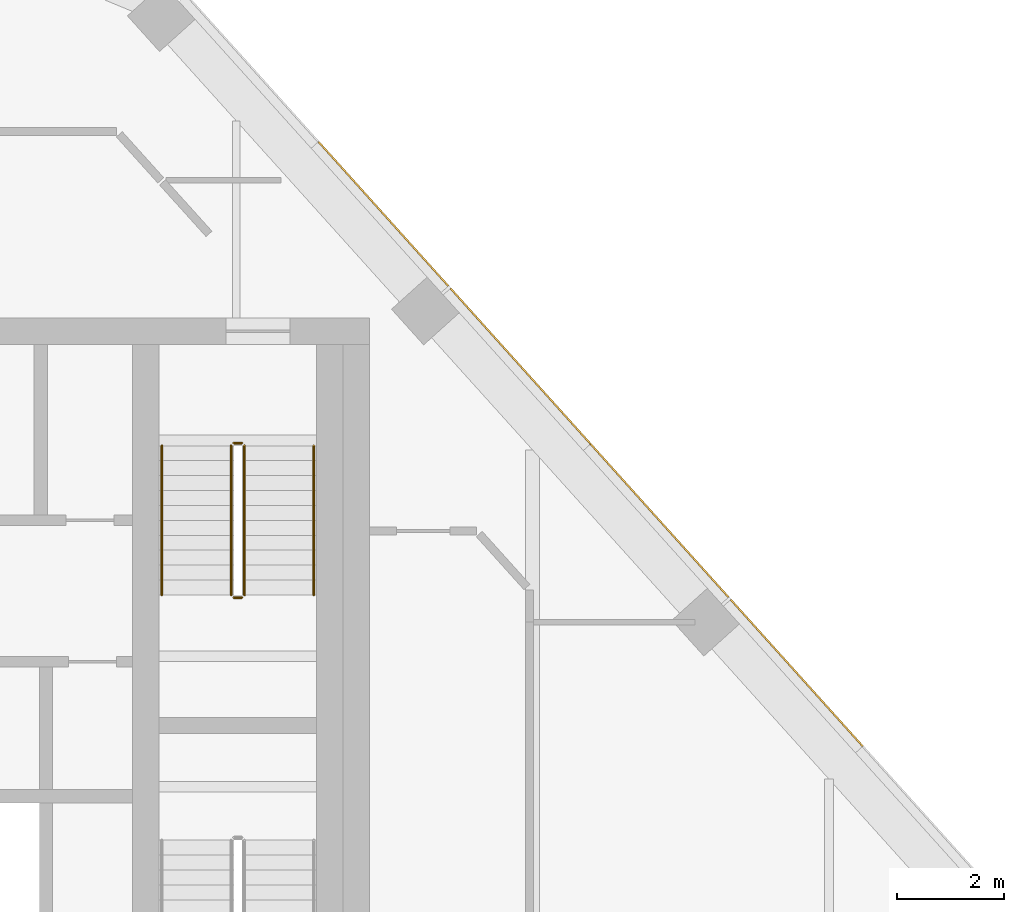
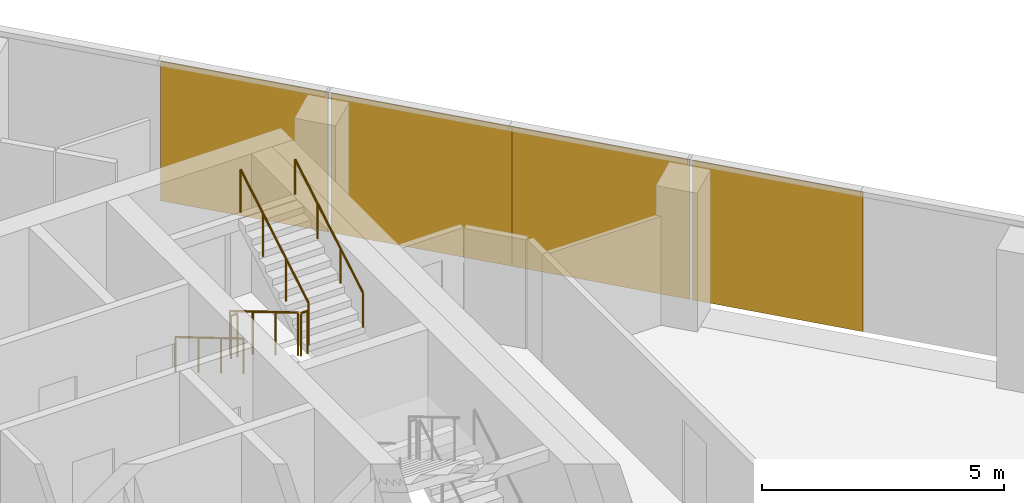
# One storey, part 15 of 15: 6 railings, 4 coverings, 1 element without a shape of its own.
"""IFC4 building model written with IfcOpenShell, lengths in metres."""

from ifc_helpers import new_model, si_unit, direction, frame, origin, origin_2d, place, context, subcontext, project, spatial, rectangle, circle, extrude, material, layer, layer_set, type_object, element, aggregate, save


model = new_model("IFC4")

# Units and contexts
model_context = context("Model", 3, precision=1e-05, world=origin(), true_north=direction((0.0, 1.0)))
body_context = subcontext(model_context, "Body", "Model", "MODEL_VIEW")
ifc_project = project(units=[si_unit("LENGTHUNIT", "METRE"), si_unit("AREAUNIT", "SQUARE_METRE"), si_unit("VOLUMEUNIT", "CUBIC_METRE"), si_unit("PLANEANGLEUNIT", "RADIAN"), si_unit("MASSUNIT", "GRAM", prefix="KILO")], contexts=[model_context])

# Site, building, storey
site_placement = place(None, origin())
site = spatial("IfcSite", under=ifc_project, at=site_placement, CompositionType="ELEMENT")
building_placement = place(site_placement, origin())
building = spatial("IfcBuilding", under=site, at=building_placement, Name="Isthmus Gate Tower", CompositionType="ELEMENT")
storey_placement = place(building_placement, frame((0.0, 0.0, 286.5)))
storey = spatial("IfcBuildingStorey", under=building, at=storey_placement, Name="L73", CompositionType="ELEMENT", Elevation=286.5)

# Curtain wall, coverings
ifc_material_1 = material(Name="Aluminium, pale champagne anodised", Category="aluminium")
ifc_layer_1 = layer(ifc_material_1, 0.199951171875)
ifc_layer_set_1 = layer_set([ifc_layer_1], Name="CW-1 UNITISED CURTAIN WALL 200 DEEP")
curtain_wall_type = type_object("IfcCurtainWallType", Name="CW-1 UNITISED CURTAIN WALL 200 DEEP", PredefinedType="NOTDEFINED", material=ifc_layer_set_1)
curtain_wall_placement = place(storey_placement, origin())
curtain_wall = element("IfcCurtainWall", 1, at=curtain_wall_placement, inside=storey, type_object=curtain_wall_type, Name="CW-1 NE L73", PredefinedType="NOTDEFINED")
ifc_material_2 = material(Name="Aluminium composite panel, pale champagne anodised", Category="aluminium")
ifc_layer_2 = layer(ifc_material_2, 0.031982421875)
ifc_layer_set_2 = layer_set([ifc_layer_2], Name="CW-1 PALE METAL PANEL 32")
covering_type = type_object("IfcCoveringType", Name="CW-1 PALE METAL PANEL 32", PredefinedType="CLADDING", material=ifc_layer_set_2)
covering_1_placement = place(storey_placement, frame((23.012939453125, 8.33837890625, 0.0), z_axis=(0.0, 0.0, 1.0), x_axis=(-0.669130606359, 0.743144825477, 0.0)))
covering_1 = element("IfcCovering", 2, at=covering_1_placement, type_object=covering_type, Name="CW-1 pale metal panel", PredefinedType="CLADDING", context=body_context, shape_type="SweptSolid", body=[
    extrude(rectangle(XDim=3.703369140625, YDim=0.031982421875, at=origin_2d()), origin(), (0.0, 0.0, 1.0), 3.52001953125),
])
covering_2_placement = place(storey_placement, frame((20.439453125, 11.196533203125, 0.0), z_axis=(0.0, 0.0, 1.0), x_axis=(-0.669130606359, 0.743144825477, 0.0)))
covering_2 = element("IfcCovering", 3, at=covering_2_placement, type_object=covering_type, Name="CW-1 pale metal panel", PredefinedType="CLADDING", context=body_context, shape_type="SweptSolid", body=[
    extrude(rectangle(XDim=3.868408203125, YDim=0.031982421875, at=origin_2d()), origin(), (0.0, 0.0, 1.0), 3.52001953125),
])
covering_3_placement = place(storey_placement, frame((17.8310546875, 14.093505859375, 0.0), z_axis=(0.0, 0.0, 1.0), x_axis=(-0.669130606359, 0.743144825477, 0.0)))
covering_3 = element("IfcCovering", 4, at=covering_3_placement, type_object=covering_type, Name="CW-1 pale metal panel", PredefinedType="CLADDING", context=body_context, shape_type="SweptSolid", body=[
    extrude(rectangle(XDim=3.928466796875, YDim=0.031982421875, at=origin_2d()), origin(), (0.0, 0.0, 1.0), 3.52001953125),
])
covering_4_placement = place(storey_placement, frame((15.257568359375, 16.95166015625, 0.0), z_axis=(0.0, 0.0, 1.0), x_axis=(-0.669130606359, 0.743144825477, 0.0)))
covering_4 = element("IfcCovering", 5, at=covering_4_placement, type_object=covering_type, Name="CW-1 pale metal panel", PredefinedType="CLADDING", context=body_context, shape_type="SweptSolid", body=[
    extrude(rectangle(XDim=3.643310546875, YDim=0.031982421875, at=origin_2d()), origin(), (0.0, 0.0, 1.0), 3.52001953125),
])
aggregate(curtain_wall, [covering_1, covering_2, covering_3, covering_4])

# Railings
ifc_material_3 = material(Name="Stainless steel balustrade", Category="steel")
railing_type_1 = type_object("IfcRailingType", Name="STAIR GUARD 1100", PredefinedType="GUARDRAIL", material=ifc_material_3)
railing_1_placement = place(storey_placement, frame((12.39990234375, 12.60009765625, 0.166015625)))
element("IfcRailing", 6, at=railing_1_placement, inside=storey, type_object=railing_type_1, Name="L73 ST2 stair guard 1", PredefinedType="GUARDRAIL", context=body_context, shape_type="SweptSolid", body=[
    extrude(circle(Radius=0.02392578125, at=origin_2d()), frame((0.0, 0.0, 1.076171875), z_axis=(0.0, -0.860339051648, 0.50972219513), x_axis=(1.0, 0.0, 0.0)), (0.0, 0.0, 1.0), 3.254638671875),
    extrude(circle(Radius=0.02099609375, at=origin_2d()), origin(), (0.0, 0.0, 1.0), 1.052001953125),
    extrude(circle(Radius=0.02099609375, at=origin_2d()), frame((0.0, -0.933349609375, 0.552978515625)), (0.0, 0.0, 1.0), 1.052001953125),
    extrude(circle(Radius=0.02099609375, at=origin_2d()), frame((0.0, -1.86669921875, 1.10595703125)), (0.0, 0.0, 1.0), 1.052001953125),
    extrude(circle(Radius=0.02099609375, at=origin_2d()), frame((0.0, -2.800048828125, 1.658935546875)), (0.0, 0.0, 1.0), 1.052001953125),
])
railing_2_placement = place(storey_placement, frame((12.449951171875, 9.75, 1.824951171875)))
element("IfcRailing", 7, at=railing_2_placement, inside=storey, type_object=railing_type_1, Name="L73 ST2 stair guard 2", PredefinedType="GUARDRAIL", context=body_context, shape_type="SweptSolid", body=[
    extrude(circle(Radius=0.02392578125, at=origin_2d()), frame((0.0, 0.0, 1.076171875), z_axis=(1.0, 0.0, 0.0), x_axis=(0.0, 1.0, 0.0)), (0.0, 0.0, 1.0), 0.150146484375),
    extrude(circle(Radius=0.02099609375, at=origin_2d()), origin(), (0.0, 0.0, 1.0), 1.052001953125),
    extrude(circle(Radius=0.02099609375, at=origin_2d()), frame((0.150146484375, 0.0, 0.0)), (0.0, 0.0, 1.0), 1.052001953125),
])
railing_3_placement = place(storey_placement, frame((12.64990234375, 9.800048828125, 1.990966796875)))
element("IfcRailing", 8, at=railing_3_placement, inside=storey, type_object=railing_type_1, Name="L73 ST2 stair guard 3", PredefinedType="GUARDRAIL", context=body_context, shape_type="SweptSolid", body=[
    extrude(circle(Radius=0.02392578125, at=origin_2d()), frame((0.0, 0.0, 1.076171875), z_axis=(0.0, 0.860339051648, 0.50972219513), x_axis=(-1.0, 0.0, 0.0)), (0.0, 0.0, 1.0), 3.254638671875),
    extrude(circle(Radius=0.02099609375, at=origin_2d()), origin(), (0.0, 0.0, 1.0), 1.052001953125),
    extrude(circle(Radius=0.02099609375, at=origin_2d()), frame((0.0, 0.933349609375, 0.552978515625)), (0.0, 0.0, 1.0), 1.052001953125),
    extrude(circle(Radius=0.02099609375, at=origin_2d()), frame((0.0, 1.86669921875, 1.10595703125)), (0.0, 0.0, 1.0), 1.052001953125),
    extrude(circle(Radius=0.02099609375, at=origin_2d()), frame((0.0, 2.800048828125, 1.658935546875)), (0.0, 0.0, 1.0), 1.052001953125),
])
railing_4_placement = place(storey_placement, frame((12.449951171875, 12.64990234375, 0.0)))
element("IfcRailing", 9, at=railing_4_placement, inside=storey, type_object=railing_type_1, Name="L73 ST2 stair guard 4", PredefinedType="GUARDRAIL", context=body_context, shape_type="SweptSolid", body=[
    extrude(circle(Radius=0.02392578125, at=origin_2d()), frame((0.0, 0.0, 1.076171875), z_axis=(1.0, 0.0, 0.0), x_axis=(0.0, 1.0, 0.0)), (0.0, 0.0, 1.0), 0.150146484375),
    extrude(circle(Radius=0.02099609375, at=origin_2d()), origin(), (0.0, 0.0, 1.0), 1.052001953125),
    extrude(circle(Radius=0.02099609375, at=origin_2d()), frame((0.150146484375, 0.0, 0.0)), (0.0, 0.0, 1.0), 1.052001953125),
])
ifc_material_4 = material(Name="Stainless steel handrail", Category="steel")
railing_type_2 = type_object("IfcRailingType", Name="STAIR HANDRAIL 900", PredefinedType="HANDRAIL", material=ifc_material_4)
railing_5_placement = place(storey_placement, frame((11.10009765625, 12.60009765625, 0.166015625)))
element("IfcRailing", 10, at=railing_5_placement, inside=storey, type_object=railing_type_2, Name="L73 ST2 stair handrail 1", PredefinedType="HANDRAIL", context=body_context, shape_type="SweptSolid", body=[
    extrude(circle(Radius=0.02392578125, at=origin_2d()), frame((0.0, 0.0, 0.8759765625), z_axis=(0.0, -0.860339051648, 0.50972219513), x_axis=(1.0, 0.0, 0.0)), (0.0, 0.0, 1.0), 3.254638671875),
    extrude(circle(Radius=0.02099609375, at=origin_2d()), origin(), (0.0, 0.0, 1.0), 0.851806640625),
    extrude(circle(Radius=0.02099609375, at=origin_2d()), frame((0.0, -0.933349609375, 0.552978515625)), (0.0, 0.0, 1.0), 0.851806640625),
    extrude(circle(Radius=0.02099609375, at=origin_2d()), frame((0.0, -1.86669921875, 1.10595703125)), (0.0, 0.0, 1.0), 0.851806640625),
    extrude(circle(Radius=0.02099609375, at=origin_2d()), frame((0.0, -2.800048828125, 1.658935546875)), (0.0, 0.0, 1.0), 0.851806640625),
])
railing_6_placement = place(storey_placement, frame((13.949951171875, 9.800048828125, 1.990966796875)))
element("IfcRailing", 11, at=railing_6_placement, inside=storey, type_object=railing_type_2, Name="L73 ST2 stair handrail 2", PredefinedType="HANDRAIL", context=body_context, shape_type="SweptSolid", body=[
    extrude(circle(Radius=0.02392578125, at=origin_2d()), frame((0.0, 0.0, 0.8759765625), z_axis=(0.0, 0.860339051648, 0.50972219513), x_axis=(-1.0, 0.0, 0.0)), (0.0, 0.0, 1.0), 3.254638671875),
    extrude(circle(Radius=0.02099609375, at=origin_2d()), origin(), (0.0, 0.0, 1.0), 0.851806640625),
    extrude(circle(Radius=0.02099609375, at=origin_2d()), frame((0.0, 0.933349609375, 0.552978515625)), (0.0, 0.0, 1.0), 0.851806640625),
    extrude(circle(Radius=0.02099609375, at=origin_2d()), frame((0.0, 1.86669921875, 1.10595703125)), (0.0, 0.0, 1.0), 0.851806640625),
    extrude(circle(Radius=0.02099609375, at=origin_2d()), frame((0.0, 2.800048828125, 1.658935546875)), (0.0, 0.0, 1.0), 0.851806640625),
])

save(model, "model.ifc")
